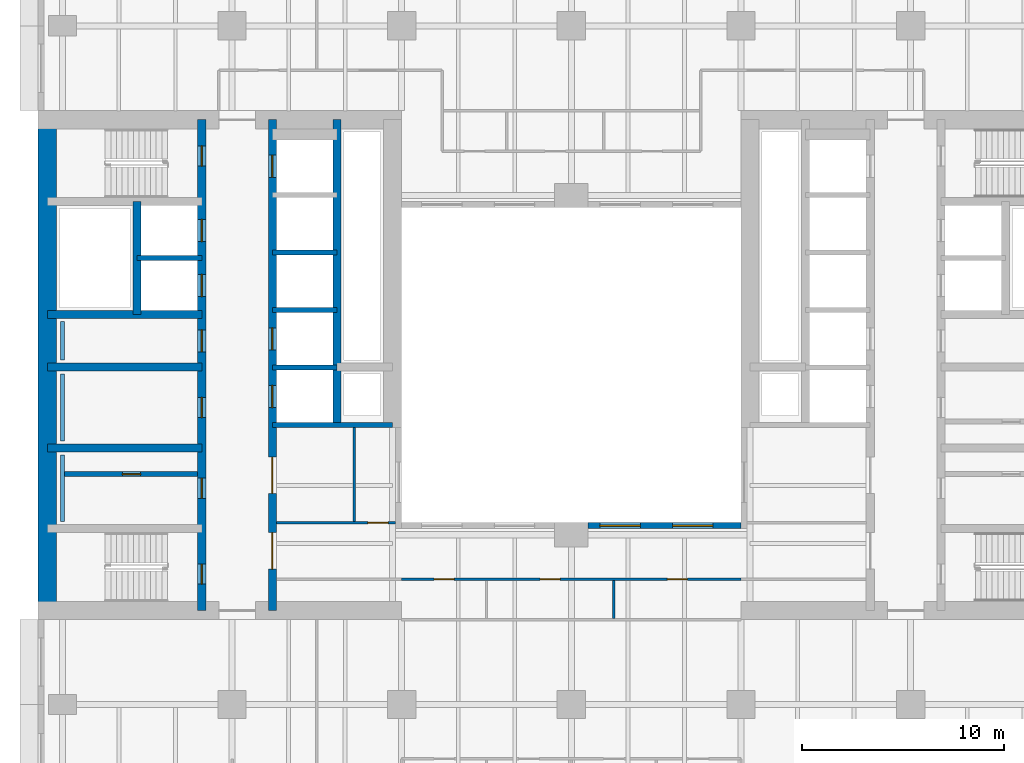
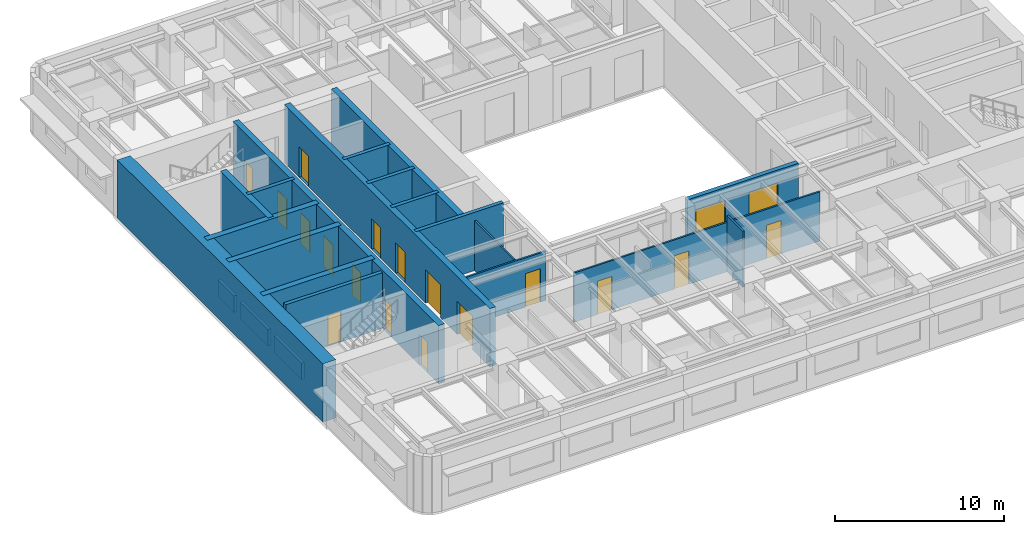
# One storey, part 4 of 11: 22 walls, 17 doors, 2 windows, 19 openings.
"""IFC4 building model written with IfcOpenShell, lengths in metres."""

from ifc_helpers import new_model, si_unit, direction, frame, frame_2d, origin, place, context, subcontext, project, spatial, rectangle, extrude, material, layer, layer_set, type_object, element, fill, save


model = new_model("IFC4")

# Units and contexts
model_context = context("Model", 3, precision=1e-05, world=origin(), true_north=direction((0.0, 1.0)))
body_context = subcontext(model_context, "Body", "Model", "MODEL_VIEW")
ifc_project = project(units=[si_unit("LENGTHUNIT", "METRE"), si_unit("AREAUNIT", "SQUARE_METRE"), si_unit("VOLUMEUNIT", "CUBIC_METRE"), si_unit("PLANEANGLEUNIT", "RADIAN"), si_unit("MASSUNIT", "GRAM", prefix="KILO")], contexts=[model_context])

# Site, building, storey
site_placement = place(None, origin())
site = spatial("IfcSite", under=ifc_project, at=site_placement, CompositionType="ELEMENT")
building_placement = place(site_placement, origin())
building = spatial("IfcBuilding", under=site, at=building_placement, Name="Claustro Exchange Tower", CompositionType="ELEMENT")
storey_placement = place(building_placement, frame((0.0, 0.0, 159.60009765625)))
storey = spatial("IfcBuildingStorey", under=building, at=storey_placement, Name="L36", CompositionType="ELEMENT", Elevation=159.60009765625)

# Wall, opening, door
ifc_material_1 = material(Name="Laminated glass in aluminium frame", Category="aluminium")
ifc_layer_1 = layer(ifc_material_1, 0.1201171875)
ifc_layer_set_1 = layer_set([ifc_layer_1], Name="Laminated glass in aluminium frame")
wall_type_1 = type_object("IfcWallType", Name="P2 120 glazed partition", PredefinedType="PARTITIONING", material=ifc_layer_set_1)
wall_1_placement = place(storey_placement, frame((10.597900390625, 17.39990234375, 0.0), z_axis=(0.0, 0.0, 1.0), x_axis=(1.0, 0.0, 0.0)))
wall_1 = element("IfcWall", 1, at=wall_1_placement, inside=storey, type_object=wall_type_1, Name="Partition P2 L36", PredefinedType="PARTITIONING", context=body_context, shape_type="SweptSolid", body=[
    extrude(rectangle(XDim=5.904052734375, YDim=0.1201171875, at=frame_2d((2.9521484375, 0.0))), origin(), (0.0, 0.0, 1.0), 3.5498046875),
])
opening_1_placement = place(wall_1_placement, frame((4.52392578125, 0.0, 0.0)))
opening_1 = element("IfcOpeningElement", 2, at=opening_1_placement, cuts=wall_1, Name="Opening D7", PredefinedType="OPENING", context=body_context, shape_type="SweptSolid", body=[
    extrude(rectangle(XDim=1.0, YDim=2.39990234375, at=frame_2d((0.5, 1.199951171875))), frame((0.0, 0.070068359375, 0.0), z_axis=(0.0, -1.0, 0.0), x_axis=(1.0, 0.0, 0.0)), (0.0, 0.0, 1.0), 0.14013671875),
])
ifc_material_2 = material(Name="Glass door in aluminium frame", Category="aluminium")
door_type_1 = type_object("IfcDoorType", Name="D7 1000 x 2400 glazed door", OperationType="SINGLE_SWING_LEFT", PredefinedType="DOOR", material=ifc_material_2)
door_1_placement = place(opening_1_placement, origin())
door_1 = element("IfcDoor", 3, at=door_1_placement, inside=storey, type_object=door_type_1, Name="Door D7 L36", OperationType="SINGLE_SWING_LEFT", OverallHeight=2.39990234375, OverallWidth=1.0, PredefinedType="DOOR", context=body_context, shape_type="SweptSolid", body=[
    extrude(rectangle(XDim=1.0, YDim=2.39990234375, at=frame_2d((0.5, 1.199951171875))), frame((0.0, 0.02490234375, 0.0), z_axis=(0.0, -1.0, 0.0), x_axis=(1.0, 0.0, 0.0)), (0.0, 0.0, 1.0), 0.050048828125),
])
fill(opening_1, door_1)

# Walls
wall_2_placement = place(storey_placement, frame((14.444091796875, 17.4580078125, 0.0), z_axis=(0.0, 0.0, 1.0), x_axis=(0.0, 1.0, 0.0)))
element("IfcWall", 4, at=wall_2_placement, inside=storey, type_object=wall_type_1, Name="Partition P2 L36", PredefinedType="PARTITIONING", context=body_context, shape_type="SweptSolid", body=[
    extrude(rectangle(XDim=4.64404296875, YDim=0.1201171875, at=frame_2d((2.322021484375, 0.0))), origin(), (0.0, 0.0, 1.0), 3.599853515625),
])
wall_3_placement = place(storey_placement, frame((27.300048828125, 12.657958984375, 0.0), z_axis=(0.0, 0.0, 1.0), x_axis=(0.0, 1.0, 0.0)))
element("IfcWall", 5, at=wall_3_placement, inside=storey, type_object=wall_type_1, Name="Partition P2 L36", PredefinedType="PARTITIONING", context=body_context, shape_type="SweptSolid", body=[
    extrude(rectangle(XDim=1.884033203125, YDim=0.1201171875, at=frame_2d((0.94189453125, 0.0))), origin(), (0.0, 0.0, 1.0), 4.0498046875),
])

# Wall, openings, doors
wall_4_placement = place(storey_placement, frame((16.798095703125, 14.60009765625, 0.0), z_axis=(0.0, 0.0, 1.0), x_axis=(1.0, 0.0, 0.0)))
wall_4 = element("IfcWall", 6, at=wall_4_placement, inside=storey, type_object=wall_type_1, Name="Partition P2 L36", PredefinedType="PARTITIONING", context=body_context, shape_type="SweptSolid", body=[
    extrude(rectangle(XDim=16.803955078125, YDim=0.1201171875, at=frame_2d((8.40185546875, 0.0))), origin(), (0.0, 0.0, 1.0), 3.5498046875),
])
opening_2_placement = place(wall_4_placement, frame((1.60205078125, 0.0, 0.0)))
opening_2 = element("IfcOpeningElement", 7, at=opening_2_placement, cuts=wall_4, Name="Opening D7", PredefinedType="OPENING", context=body_context, shape_type="SweptSolid", body=[
    extrude(rectangle(XDim=1.0, YDim=2.39990234375, at=frame_2d((0.5, 1.199951171875))), frame((0.0, 0.070068359375, 0.0), z_axis=(0.0, -1.0, 0.0), x_axis=(1.0, 0.0, 0.0)), (0.0, 0.0, 1.0), 0.14013671875),
])
opening_3_placement = place(wall_4_placement, frame((6.85205078125, 0.0, 0.0)))
opening_3 = element("IfcOpeningElement", 8, at=opening_3_placement, cuts=wall_4, Name="Opening D7", PredefinedType="OPENING", context=body_context, shape_type="SweptSolid", body=[
    extrude(rectangle(XDim=1.0, YDim=2.39990234375, at=frame_2d((0.5, 1.199951171875))), frame((0.0, 0.070068359375, 0.0), z_axis=(0.0, -1.0, 0.0), x_axis=(1.0, 0.0, 0.0)), (0.0, 0.0, 1.0), 0.14013671875),
])
opening_4_placement = place(wall_4_placement, frame((13.152099609375, 0.0, 0.0)))
opening_4 = element("IfcOpeningElement", 9, at=opening_4_placement, cuts=wall_4, Name="Opening D7", PredefinedType="OPENING", context=body_context, shape_type="SweptSolid", body=[
    extrude(rectangle(XDim=1.0, YDim=2.39990234375, at=frame_2d((0.5, 1.199951171875))), frame((0.0, 0.070068359375, 0.0), z_axis=(0.0, -1.0, 0.0), x_axis=(1.0, 0.0, 0.0)), (0.0, 0.0, 1.0), 0.14013671875),
])
door_2_placement = place(opening_2_placement, frame((1.0, 0.0, 0.0), z_axis=(0.0, 0.0, 1.0), x_axis=(-1.0, 0.0, 0.0)))
door_2 = element("IfcDoor", 10, at=door_2_placement, inside=storey, type_object=door_type_1, Name="Door D7 L36", OperationType="SINGLE_SWING_RIGHT", OverallHeight=2.39990234375, OverallWidth=1.0, PredefinedType="DOOR", context=body_context, shape_type="SweptSolid", body=[
    extrude(rectangle(XDim=1.0, YDim=2.39990234375, at=frame_2d((0.5, 1.199951171875))), frame((0.0, 0.02490234375, 0.0), z_axis=(0.0, -1.0, 0.0), x_axis=(1.0, 0.0, 0.0)), (0.0, 0.0, 1.0), 0.050048828125),
])
fill(opening_2, door_2)
door_3_placement = place(opening_3_placement, frame((1.0, 0.0, 0.0), z_axis=(0.0, 0.0, 1.0), x_axis=(-1.0, 0.0, 0.0)))
door_3 = element("IfcDoor", 11, at=door_3_placement, inside=storey, type_object=door_type_1, Name="Door D7 L36", OperationType="SINGLE_SWING_RIGHT", OverallHeight=2.39990234375, OverallWidth=1.0, PredefinedType="DOOR", context=body_context, shape_type="SweptSolid", body=[
    extrude(rectangle(XDim=1.0, YDim=2.39990234375, at=frame_2d((0.5, 1.199951171875))), frame((0.0, 0.02490234375, 0.0), z_axis=(0.0, -1.0, 0.0), x_axis=(1.0, 0.0, 0.0)), (0.0, 0.0, 1.0), 0.050048828125),
])
fill(opening_3, door_3)
door_4_placement = place(opening_4_placement, frame((1.0, 0.0, 0.0), z_axis=(0.0, 0.0, 1.0), x_axis=(-1.0, 0.0, 0.0)))
door_4 = element("IfcDoor", 12, at=door_4_placement, inside=storey, type_object=door_type_1, Name="Door D7 L36", OperationType="SINGLE_SWING_RIGHT", OverallHeight=2.39990234375, OverallWidth=1.0, PredefinedType="DOOR", context=body_context, shape_type="SweptSolid", body=[
    extrude(rectangle(XDim=1.0, YDim=2.39990234375, at=frame_2d((0.5, 1.199951171875))), frame((0.0, 0.02490234375, 0.0), z_axis=(0.0, -1.0, 0.0), x_axis=(1.0, 0.0, 0.0)), (0.0, 0.0, 1.0), 0.050048828125),
])
fill(opening_4, door_4)

# Wall, opening, door
ifc_material_3 = material(Name="Concrete blockwork, rendered", Category="masonry")
ifc_layer_2 = layer(ifc_material_3, 0.25)
ifc_layer_set_2 = layer_set([ifc_layer_2], Name="Concrete blockwork, rendered")
wall_type_2 = type_object("IfcWallType", Name="P4 250 blockwork wall", PredefinedType="PARTITIONING", material=ifc_layer_set_2)
wall_5_placement = place(storey_placement, frame((0.10009765625, 19.800048828125, 0.0), z_axis=(0.0, 0.0, 1.0), x_axis=(1.0, 0.0, 0.0)))
wall_5 = element("IfcWall", 13, at=wall_5_placement, inside=storey, type_object=wall_type_2, Name="Partition P4 L36", PredefinedType="PARTITIONING", context=body_context, shape_type="SweptSolid", body=[
    extrude(rectangle(XDim=6.599853515625, YDim=0.25, at=frame_2d((3.2998046875, 0.0))), origin(), (0.0, 0.0, 1.0), 4.0),
])
opening_5_placement = place(wall_5_placement, frame((2.875, 0.0, 0.0)))
opening_5 = element("IfcOpeningElement", 14, at=opening_5_placement, cuts=wall_5, Name="Opening D5", PredefinedType="OPENING", context=body_context, shape_type="SweptSolid", body=[
    extrude(rectangle(XDim=0.89990234375, YDim=2.199951171875, at=frame_2d((0.449951171875, 1.10009765625))), frame((0.0, 0.135009765625, 0.0), z_axis=(0.0, -1.0, 0.0), x_axis=(1.0, 0.0, 0.0)), (0.0, 0.0, 1.0), 0.27001953125),
])
ifc_material_4 = material(Name="Steel door, painted", Category="steel")
door_type_2 = type_object("IfcDoorType", Name="D5 900 x 2200 store door", OperationType="SINGLE_SWING_LEFT", PredefinedType="DOOR", material=ifc_material_4)
door_5_placement = place(opening_5_placement, origin())
door_5 = element("IfcDoor", 15, at=door_5_placement, inside=storey, type_object=door_type_2, Name="Store door D5 L36", OperationType="SINGLE_SWING_LEFT", OverallHeight=2.199951171875, OverallWidth=0.89990234375, PredefinedType="DOOR", context=body_context, shape_type="SweptSolid", body=[
    extrude(rectangle(XDim=0.89990234375, YDim=2.199951171875, at=frame_2d((0.449951171875, 1.10009765625))), frame((0.0, 0.02490234375, 0.0), z_axis=(0.0, -1.0, 0.0), x_axis=(1.0, 0.0, 0.0)), (0.0, 0.0, 1.0), 0.050048828125),
])
fill(opening_5, door_5)

# Wall, openings, windows
ifc_material_5 = material(Name="Concrete HA-40 (C40/50), precast, white cement, acid-etched", Category="concrete")
ifc_layer_3 = layer(ifc_material_5, 0.300048828125)
ifc_layer_set_3 = layer_set([ifc_layer_3], Name="Concrete HA-40 (C40/50), precast, white cement, acid-etched")
wall_type_3 = type_object("IfcWallType", Name="PC1 300 precast concrete pier panel", PredefinedType="SOLIDWALL", material=ifc_layer_set_3)
wall_6_placement = place(storey_placement, frame((26.02490234375, 17.25, 0.0), z_axis=(0.0, 0.0, 1.0), x_axis=(1.0, 0.0, 0.0)))
wall_6 = element("IfcWall", 16, at=wall_6_placement, inside=storey, type_object=wall_type_3, Name="Precast pier panel PC1 L36", PredefinedType="SOLIDWALL", context=body_context, shape_type="SweptSolid", body=[
    extrude(rectangle(XDim=7.5751953125, YDim=0.300048828125, at=frame_2d((3.78759765625, 0.0))), origin(), (0.0, 0.0, 1.0), 4.0498046875),
])
opening_6_placement = place(wall_6_placement, frame((0.58740234375, 0.0, 0.10009765625)))
opening_6 = element("IfcOpeningElement", 17, at=opening_6_placement, cuts=wall_6, Name="Opening W-A", PredefinedType="OPENING", context=body_context, shape_type="SweptSolid", body=[
    extrude(rectangle(XDim=2.0, YDim=3.0, at=frame_2d((1.0, 1.5))), frame((0.0, 0.159912109375, 0.0), z_axis=(0.0, -1.0, 0.0), x_axis=(1.0, 0.0, 0.0)), (0.0, 0.0, 1.0), 0.320068359375),
])
opening_7_placement = place(wall_6_placement, frame((4.1875, 0.0, 0.10009765625)))
opening_7 = element("IfcOpeningElement", 18, at=opening_7_placement, cuts=wall_6, Name="Opening W-A", PredefinedType="OPENING", context=body_context, shape_type="SweptSolid", body=[
    extrude(rectangle(XDim=2.0, YDim=3.0, at=frame_2d((1.0, 1.5))), frame((0.0, 0.159912109375, 0.0), z_axis=(0.0, -1.0, 0.0), x_axis=(1.0, 0.0, 0.0)), (0.0, 0.0, 1.0), 0.320068359375),
])
ifc_material_6 = material(Name="Aluminium frame, clear double glazing", Category="aluminium")
window_type = type_object("IfcWindowType", Name="W-A 2000 x 3000 arcade window", PartitioningType="SINGLE_PANEL", PredefinedType="WINDOW", material=ifc_material_6)
window_1_placement = place(opening_6_placement, origin())
window_1 = element("IfcWindow", 19, at=window_1_placement, inside=storey, type_object=window_type, Name="Window W-A L36", OverallHeight=3.0, OverallWidth=2.0, PartitioningType="SINGLE_PANEL", PredefinedType="WINDOW", context=body_context, shape_type="SweptSolid", body=[
    extrude(rectangle(XDim=2.0, YDim=3.0, at=frame_2d((1.0, 1.5))), frame((0.0, 0.030029296875, 0.0), z_axis=(0.0, -1.0, 0.0), x_axis=(1.0, 0.0, 0.0)), (0.0, 0.0, 1.0), 0.06005859375),
])
fill(opening_6, window_1)
window_2_placement = place(opening_7_placement, origin())
window_2 = element("IfcWindow", 20, at=window_2_placement, inside=storey, type_object=window_type, Name="Window W-A L36", OverallHeight=3.0, OverallWidth=2.0, PartitioningType="SINGLE_PANEL", PredefinedType="WINDOW", context=body_context, shape_type="SweptSolid", body=[
    extrude(rectangle(XDim=2.0, YDim=3.0, at=frame_2d((1.0, 1.5))), frame((0.0, 0.030029296875, 0.0), z_axis=(0.0, -1.0, 0.0), x_axis=(1.0, 0.0, 0.0)), (0.0, 0.0, 1.0), 0.06005859375),
])
fill(opening_7, window_2)

# Walls
ifc_material_7 = material(Name="Gypsum board on steel studs, tiled", Category="steel")
ifc_layer_4 = layer(ifc_material_7, 0.199951171875)
ifc_layer_set_4 = layer_set([ifc_layer_4], Name="Gypsum board on steel studs, tiled")
wall_type_4 = type_object("IfcWallType", Name="PW1 200 WC duct wall", PredefinedType="PLUMBINGWALL", material=ifc_layer_set_4)
for number, where, z_axis, x_axis, name in (
    (21, (0.0, 17.449951171875, 0.0), (0.0, 0.0, 1.0), (0.0, 1.0, 0.0), "WC duct wall PW1 L36"),
    (22, (0.0, 21.449951171875, 0.0), (0.0, 0.0, 1.0), (0.0, 1.0, 0.0), "WC duct wall PW1 L36"),
):
    element("IfcWall", number, at=place(storey_placement, frame(where, z_axis=z_axis, x_axis=x_axis)), inside=storey, type_object=wall_type_4, Name=name, PredefinedType="PLUMBINGWALL", context=body_context, shape_type="SweptSolid", body=[
        extrude(rectangle(XDim=3.300048828125, YDim=0.199951171875, at=frame_2d((1.64990234375, 0.0))), origin(), (0.0, 0.0, 1.0), 1.199951171875),
    ])
wall_7_placement = place(storey_placement, frame((0.0, 25.449951171875, 0.0), z_axis=(0.0, 0.0, 1.0), x_axis=(0.0, 1.0, 0.0)))
element("IfcWall", 23, at=wall_7_placement, inside=storey, type_object=wall_type_4, Name="WC duct wall PW1 L36", PredefinedType="PLUMBINGWALL", context=body_context, shape_type="SweptSolid", body=[
    extrude(rectangle(XDim=1.900146484375, YDim=0.199951171875, at=frame_2d((0.9501953125, 0.0))), origin(), (0.0, 0.0, 1.0), 1.199951171875),
])
ifc_material_8 = material(Name="Concrete HA-70 (C70/85)", Category="concrete")
ifc_layer_5 = layer(ifc_material_8, 0.89990234375)
ifc_layer_set_5 = layer_set([ifc_layer_5], Name="Concrete HA-70 (C70/85)")
wall_type_5 = type_object("IfcWallType", Name="SW1X 900 exposed core shear wall, board-marked face", PredefinedType="SHEAR", material=ifc_layer_set_5)
wall_8_placement = place(storey_placement, frame((-0.75, 13.050048828125, 0.0), z_axis=(0.0, 0.0, 1.0), x_axis=(0.0, 1.0, 0.0)))
element("IfcWall", 24, at=wall_8_placement, inside=storey, type_object=wall_type_5, Name="Core wall SW1X W core W face L36", PredefinedType="SHEAR", context=body_context, shape_type="SweptSolid", body=[
    extrude(rectangle(XDim=24.300048828125, YDim=0.89990234375, at=frame_2d((12.14990234375, 0.0))), origin(), (0.0, 0.0, 1.0), 4.199951171875),
])

# Wall, openings, doors
ifc_material_9 = material(Name="Concrete HA-50 (C50/60)", Category="concrete")
ifc_layer_6 = layer(ifc_material_9, 0.39990234375)
ifc_layer_set_6 = layer_set([ifc_layer_6], Name="Concrete HA-50 (C50/60)")
wall_type_6 = type_object("IfcWallType", Name="SW4 400 internal core wall", PredefinedType="SHEAR", material=ifc_layer_set_6)
wall_9_placement = place(storey_placement, frame((6.89990234375, 13.050048828125, 0.0), z_axis=(0.0, 0.0, 1.0), x_axis=(0.0, 1.0, 0.0)))
wall_9 = element("IfcWall", 25, at=wall_9_placement, inside=storey, type_object=wall_type_6, Name="Internal core wall SW4 W core L36", PredefinedType="SHEAR", context=body_context, shape_type="SweptSolid", body=[
    extrude(rectangle(XDim=24.300048828125, YDim=0.39990234375, at=frame_2d((12.14990234375, 0.0))), origin(), (0.0, 0.0, 1.0), 4.199951171875),
])
opening_8_placement = place(wall_9_placement, frame((1.300048828125, 0.0, 0.0)))
opening_8 = element("IfcOpeningElement", 26, at=opening_8_placement, cuts=wall_9, Name="Opening D4", PredefinedType="OPENING", context=body_context, shape_type="SweptSolid", body=[
    extrude(rectangle(XDim=1.0, YDim=2.199951171875, at=frame_2d((0.5, 1.10009765625))), frame((0.0, 0.2099609375, 0.0), z_axis=(0.0, -1.0, 0.0), x_axis=(1.0, 0.0, 0.0)), (0.0, 0.0, 1.0), 0.419921875),
])
opening_9_placement = place(wall_9_placement, frame((22.0, 0.0, 0.0)))
opening_9 = element("IfcOpeningElement", 27, at=opening_9_placement, cuts=wall_9, Name="Opening D4", PredefinedType="OPENING", context=body_context, shape_type="SweptSolid", body=[
    extrude(rectangle(XDim=1.0, YDim=2.199951171875, at=frame_2d((0.5, 1.10009765625))), frame((0.0, 0.2099609375, 0.0), z_axis=(0.0, -1.0, 0.0), x_axis=(1.0, 0.0, 0.0)), (0.0, 0.0, 1.0), 0.419921875),
])
opening_10_placement = place(wall_9_placement, frame((5.550048828125, 0.0, 0.0)))
opening_10 = element("IfcOpeningElement", 28, at=opening_10_placement, cuts=wall_9, Name="Opening D1", PredefinedType="OPENING", context=body_context, shape_type="SweptSolid", body=[
    extrude(rectangle(XDim=1.0, YDim=2.199951171875, at=frame_2d((0.5, 1.10009765625))), frame((0.0, 0.2099609375, 0.0), z_axis=(0.0, -1.0, 0.0), x_axis=(1.0, 0.0, 0.0)), (0.0, 0.0, 1.0), 0.419921875),
])
opening_11_placement = place(wall_9_placement, frame((9.550048828125, 0.0, 0.0)))
opening_11 = element("IfcOpeningElement", 29, at=opening_11_placement, cuts=wall_9, Name="Opening D1", PredefinedType="OPENING", context=body_context, shape_type="SweptSolid", body=[
    extrude(rectangle(XDim=1.0, YDim=2.199951171875, at=frame_2d((0.5, 1.10009765625))), frame((0.0, 0.2099609375, 0.0), z_axis=(0.0, -1.0, 0.0), x_axis=(1.0, 0.0, 0.0)), (0.0, 0.0, 1.0), 0.419921875),
])
opening_12_placement = place(wall_9_placement, frame((12.800048828125, 0.0, 0.0)))
opening_12 = element("IfcOpeningElement", 30, at=opening_12_placement, cuts=wall_9, Name="Opening D10", PredefinedType="OPENING", context=body_context, shape_type="SweptSolid", body=[
    extrude(rectangle(XDim=1.10009765625, YDim=2.199951171875, at=frame_2d((0.550048828125, 1.10009765625))), frame((0.0, 0.2099609375, 0.0), z_axis=(0.0, -1.0, 0.0), x_axis=(1.0, 0.0, 0.0)), (0.0, 0.0, 1.0), 0.419921875),
])
opening_13_placement = place(wall_9_placement, frame((15.53759765625, 0.0, 0.0)))
opening_13 = element("IfcOpeningElement", 31, at=opening_13_placement, cuts=wall_9, Name="Opening LD", PredefinedType="OPENING", context=body_context, shape_type="SweptSolid", body=[
    extrude(rectangle(XDim=1.10009765625, YDim=2.199951171875, at=frame_2d((0.550048828125, 1.10009765625))), frame((0.0, 0.2099609375, 0.0), z_axis=(0.0, -1.0, 0.0), x_axis=(1.0, 0.0, 0.0)), (0.0, 0.0, 1.0), 0.419921875),
])
opening_14_placement = place(wall_9_placement, frame((18.262451171875, 0.0, 0.0)))
opening_14 = element("IfcOpeningElement", 32, at=opening_14_placement, cuts=wall_9, Name="Opening LD", PredefinedType="OPENING", context=body_context, shape_type="SweptSolid", body=[
    extrude(rectangle(XDim=1.10009765625, YDim=2.199951171875, at=frame_2d((0.550048828125, 1.10009765625))), frame((0.0, 0.2099609375, 0.0), z_axis=(0.0, -1.0, 0.0), x_axis=(1.0, 0.0, 0.0)), (0.0, 0.0, 1.0), 0.419921875),
])
ifc_material_10 = material(Name="Timber door, oak veneer", Category="wood")
door_type_3 = type_object("IfcDoorType", Name="D1 1000 x 2200 single door", OperationType="SINGLE_SWING_LEFT", PredefinedType="DOOR", material=ifc_material_10)
door_6_placement = place(opening_10_placement, origin())
door_6 = element("IfcDoor", 33, at=door_6_placement, inside=storey, type_object=door_type_3, Name="Door D1 L36", OperationType="SINGLE_SWING_RIGHT", OverallHeight=2.199951171875, OverallWidth=1.0, PredefinedType="DOOR", context=body_context, shape_type="SweptSolid", body=[
    extrude(rectangle(XDim=1.0, YDim=2.199951171875, at=frame_2d((0.5, 1.10009765625))), frame((0.0, 0.02490234375, 0.0), z_axis=(0.0, -1.0, 0.0), x_axis=(1.0, 0.0, 0.0)), (0.0, 0.0, 1.0), 0.050048828125),
])
fill(opening_10, door_6)
door_7_placement = place(opening_11_placement, origin())
door_7 = element("IfcDoor", 34, at=door_7_placement, inside=storey, type_object=door_type_3, Name="Door D1 L36", OperationType="SINGLE_SWING_RIGHT", OverallHeight=2.199951171875, OverallWidth=1.0, PredefinedType="DOOR", context=body_context, shape_type="SweptSolid", body=[
    extrude(rectangle(XDim=1.0, YDim=2.199951171875, at=frame_2d((0.5, 1.10009765625))), frame((0.0, 0.02490234375, 0.0), z_axis=(0.0, -1.0, 0.0), x_axis=(1.0, 0.0, 0.0)), (0.0, 0.0, 1.0), 0.050048828125),
])
fill(opening_11, door_7)
ifc_material_11 = material(Name="Timber door, oak veneer", Category="wood")
door_type_4 = type_object("IfcDoorType", Name="D10 1100 x 2200 accessible WC door", OperationType="SINGLE_SWING_LEFT", PredefinedType="DOOR", material=ifc_material_11)
door_8_placement = place(opening_12_placement, frame((1.10009765625, 0.0, 0.0), z_axis=(0.0, 0.0, 1.0), x_axis=(-1.0, 0.0, 0.0)))
door_8 = element("IfcDoor", 35, at=door_8_placement, inside=storey, type_object=door_type_4, Name="Accessible WC door D10 L36", OperationType="SINGLE_SWING_LEFT", OverallHeight=2.199951171875, OverallWidth=1.10009765625, PredefinedType="DOOR", context=body_context, shape_type="SweptSolid", body=[
    extrude(rectangle(XDim=1.10009765625, YDim=2.199951171875, at=frame_2d((0.550048828125, 1.10009765625))), frame((0.0, 0.02490234375, 0.0), z_axis=(0.0, -1.0, 0.0), x_axis=(1.0, 0.0, 0.0)), (0.0, 0.0, 1.0), 0.050048828125),
])
fill(opening_12, door_8)
ifc_material_12 = material(Name="Steel fire door, painted", Category="steel")
door_type_5 = type_object("IfcDoorType", Name="D4 1000 x 2200 fire-rated stair door", OperationType="SINGLE_SWING_LEFT", PredefinedType="DOOR", material=ifc_material_12)
door_9_placement = place(opening_8_placement, origin())
door_9 = element("IfcDoor", 36, at=door_9_placement, inside=storey, type_object=door_type_5, Name="Stair door D4 L36", OperationType="SINGLE_SWING_LEFT", OverallHeight=2.199951171875, OverallWidth=1.0, PredefinedType="DOOR", context=body_context, shape_type="SweptSolid", body=[
    extrude(rectangle(XDim=1.0, YDim=2.199951171875, at=frame_2d((0.5, 1.10009765625))), frame((0.0, 0.02490234375, 0.0), z_axis=(0.0, -1.0, 0.0), x_axis=(1.0, 0.0, 0.0)), (0.0, 0.0, 1.0), 0.050048828125),
])
fill(opening_8, door_9)
door_10_placement = place(opening_9_placement, origin())
door_10 = element("IfcDoor", 37, at=door_10_placement, inside=storey, type_object=door_type_5, Name="Stair door D4 L36", OperationType="SINGLE_SWING_RIGHT", OverallHeight=2.199951171875, OverallWidth=1.0, PredefinedType="DOOR", context=body_context, shape_type="SweptSolid", body=[
    extrude(rectangle(XDim=1.0, YDim=2.199951171875, at=frame_2d((0.5, 1.10009765625))), frame((0.0, 0.02490234375, 0.0), z_axis=(0.0, -1.0, 0.0), x_axis=(1.0, 0.0, 0.0)), (0.0, 0.0, 1.0), 0.050048828125),
])
fill(opening_9, door_10)
ifc_material_13 = material(Name="Stainless steel sliding door", Category="steel")
door_type_6 = type_object("IfcDoorType", Name="LD 1100 x 2200 lift landing door", OperationType="DOUBLE_DOOR_SLIDING", PredefinedType="DOOR", material=ifc_material_13)
door_11_placement = place(opening_13_placement, origin())
door_11 = element("IfcDoor", 38, at=door_11_placement, inside=storey, type_object=door_type_6, Name="Lift landing door LEW1 LD L36", OperationType="DOUBLE_DOOR_SLIDING", OverallHeight=2.199951171875, OverallWidth=1.10009765625, PredefinedType="DOOR", context=body_context, shape_type="SweptSolid", body=[
    extrude(rectangle(XDim=1.10009765625, YDim=2.199951171875, at=frame_2d((0.550048828125, 1.10009765625))), frame((0.0, 0.02490234375, 0.0), z_axis=(0.0, -1.0, 0.0), x_axis=(1.0, 0.0, 0.0)), (0.0, 0.0, 1.0), 0.050048828125),
])
fill(opening_13, door_11)
door_12_placement = place(opening_14_placement, origin())
door_12 = element("IfcDoor", 39, at=door_12_placement, inside=storey, type_object=door_type_6, Name="Lift landing door LEW2 LD L36", OperationType="DOUBLE_DOOR_SLIDING", OverallHeight=2.199951171875, OverallWidth=1.10009765625, PredefinedType="DOOR", context=body_context, shape_type="SweptSolid", body=[
    extrude(rectangle(XDim=1.10009765625, YDim=2.199951171875, at=frame_2d((0.550048828125, 1.10009765625))), frame((0.0, 0.02490234375, 0.0), z_axis=(0.0, -1.0, 0.0), x_axis=(1.0, 0.0, 0.0)), (0.0, 0.0, 1.0), 0.050048828125),
])
fill(opening_14, door_12)

wall_10_placement = place(storey_placement, frame((10.39990234375, 13.050048828125, 0.0), z_axis=(0.0, 0.0, 1.0), x_axis=(0.0, 1.0, 0.0)))
wall_10 = element("IfcWall", 40, at=wall_10_placement, inside=storey, type_object=wall_type_6, Name="Internal core wall SW4 W core L36", PredefinedType="SHEAR", context=body_context, shape_type="SweptSolid", body=[
    extrude(rectangle(XDim=24.300048828125, YDim=0.39990234375, at=frame_2d((12.14990234375, 0.0))), origin(), (0.0, 0.0, 1.0), 4.199951171875),
])
opening_15_placement = place(wall_10_placement, frame((10.050048828125, 0.0, 0.0)))
opening_15 = element("IfcOpeningElement", 41, at=opening_15_placement, cuts=wall_10, Name="Opening LD", PredefinedType="OPENING", context=body_context, shape_type="SweptSolid", body=[
    extrude(rectangle(XDim=1.10009765625, YDim=2.199951171875, at=frame_2d((0.550048828125, 1.10009765625))), frame((0.0, 0.2099609375, 0.0), z_axis=(0.0, -1.0, 0.0), x_axis=(1.0, 0.0, 0.0)), (0.0, 0.0, 1.0), 0.419921875),
])
opening_16_placement = place(wall_10_placement, frame((12.89990234375, 0.0, 0.0)))
opening_16 = element("IfcOpeningElement", 42, at=opening_16_placement, cuts=wall_10, Name="Opening LD", PredefinedType="OPENING", context=body_context, shape_type="SweptSolid", body=[
    extrude(rectangle(XDim=1.10009765625, YDim=2.199951171875, at=frame_2d((0.550048828125, 1.10009765625))), frame((0.0, 0.2099609375, 0.0), z_axis=(0.0, -1.0, 0.0), x_axis=(1.0, 0.0, 0.0)), (0.0, 0.0, 1.0), 0.419921875),
])
opening_17_placement = place(wall_10_placement, frame((21.449951171875, 0.0, 0.0)))
opening_17 = element("IfcOpeningElement", 43, at=opening_17_placement, cuts=wall_10, Name="Opening LD", PredefinedType="OPENING", context=body_context, shape_type="SweptSolid", body=[
    extrude(rectangle(XDim=1.10009765625, YDim=2.199951171875, at=frame_2d((0.550048828125, 1.10009765625))), frame((0.0, 0.2099609375, 0.0), z_axis=(0.0, -1.0, 0.0), x_axis=(1.0, 0.0, 0.0)), (0.0, 0.0, 1.0), 0.419921875),
])
opening_18_placement = place(wall_10_placement, frame((2.050048828125, 0.0, 0.0)))
opening_18 = element("IfcOpeningElement", 44, at=opening_18_placement, cuts=wall_10, Name="Opening D3", PredefinedType="OPENING", context=body_context, shape_type="SweptSolid", body=[
    extrude(rectangle(XDim=1.800048828125, YDim=2.39990234375, at=frame_2d((0.89990234375, 1.199951171875))), frame((0.0, 0.2099609375, 0.0), z_axis=(0.0, -1.0, 0.0), x_axis=(1.0, 0.0, 0.0)), (0.0, 0.0, 1.0), 0.419921875),
])
opening_19_placement = place(wall_10_placement, frame((5.800048828125, 0.0, 0.0)))
opening_19 = element("IfcOpeningElement", 45, at=opening_19_placement, cuts=wall_10, Name="Opening D3", PredefinedType="OPENING", context=body_context, shape_type="SweptSolid", body=[
    extrude(rectangle(XDim=1.800048828125, YDim=2.39990234375, at=frame_2d((0.89990234375, 1.199951171875))), frame((0.0, 0.2099609375, 0.0), z_axis=(0.0, -1.0, 0.0), x_axis=(1.0, 0.0, 0.0)), (0.0, 0.0, 1.0), 0.419921875),
])
ifc_material_14 = material(Name="Steel fire door, painted", Category="steel")
door_type_7 = type_object("IfcDoorType", Name="D3 1800 x 2400 fire-rated lobby double door", OperationType="DOUBLE_DOOR_SINGLE_SWING", PredefinedType="DOOR", material=ifc_material_14)
door_13_placement = place(opening_18_placement, origin())
door_13 = element("IfcDoor", 46, at=door_13_placement, inside=storey, type_object=door_type_7, Name="Core zone door D3 L36", OperationType="DOUBLE_DOOR_SINGLE_SWING", OverallHeight=2.39990234375, OverallWidth=1.800048828125, PredefinedType="DOOR", context=body_context, shape_type="SweptSolid", body=[
    extrude(rectangle(XDim=1.800048828125, YDim=2.39990234375, at=frame_2d((0.89990234375, 1.199951171875))), frame((0.0, 0.02490234375, 0.0), z_axis=(0.0, -1.0, 0.0), x_axis=(1.0, 0.0, 0.0)), (0.0, 0.0, 1.0), 0.050048828125),
])
fill(opening_18, door_13)
door_14_placement = place(opening_19_placement, frame((1.800048828125, 0.0, 0.0), z_axis=(0.0, 0.0, 1.0), x_axis=(-1.0, 0.0, 0.0)))
door_14 = element("IfcDoor", 47, at=door_14_placement, inside=storey, type_object=door_type_7, Name="Core zone door D3 L36", OperationType="DOUBLE_DOOR_SINGLE_SWING", OverallHeight=2.39990234375, OverallWidth=1.800048828125, PredefinedType="DOOR", context=body_context, shape_type="SweptSolid", body=[
    extrude(rectangle(XDim=1.800048828125, YDim=2.39990234375, at=frame_2d((0.89990234375, 1.199951171875))), frame((0.0, 0.02490234375, 0.0), z_axis=(0.0, -1.0, 0.0), x_axis=(1.0, 0.0, 0.0)), (0.0, 0.0, 1.0), 0.050048828125),
])
fill(opening_19, door_14)
door_15_placement = place(opening_15_placement, origin())
door_15 = element("IfcDoor", 48, at=door_15_placement, inside=storey, type_object=door_type_6, Name="Lift landing door LMW1 LD L36", OperationType="DOUBLE_DOOR_SLIDING", OverallHeight=2.199951171875, OverallWidth=1.10009765625, PredefinedType="DOOR", context=body_context, shape_type="SweptSolid", body=[
    extrude(rectangle(XDim=1.10009765625, YDim=2.199951171875, at=frame_2d((0.550048828125, 1.10009765625))), frame((0.0, 0.02490234375, 0.0), z_axis=(0.0, -1.0, 0.0), x_axis=(1.0, 0.0, 0.0)), (0.0, 0.0, 1.0), 0.050048828125),
])
fill(opening_15, door_15)
door_16_placement = place(opening_16_placement, origin())
door_16 = element("IfcDoor", 49, at=door_16_placement, inside=storey, type_object=door_type_6, Name="Lift landing door LMW2 LD L36", OperationType="DOUBLE_DOOR_SLIDING", OverallHeight=2.199951171875, OverallWidth=1.10009765625, PredefinedType="DOOR", context=body_context, shape_type="SweptSolid", body=[
    extrude(rectangle(XDim=1.10009765625, YDim=2.199951171875, at=frame_2d((0.550048828125, 1.10009765625))), frame((0.0, 0.02490234375, 0.0), z_axis=(0.0, -1.0, 0.0), x_axis=(1.0, 0.0, 0.0)), (0.0, 0.0, 1.0), 0.050048828125),
])
fill(opening_16, door_16)
door_17_placement = place(opening_17_placement, origin())
door_17 = element("IfcDoor", 50, at=door_17_placement, inside=storey, type_object=door_type_6, Name="Lift landing door LSW1 LD L36", OperationType="DOUBLE_DOOR_SLIDING", OverallHeight=2.199951171875, OverallWidth=1.10009765625, PredefinedType="DOOR", context=body_context, shape_type="SweptSolid", body=[
    extrude(rectangle(XDim=1.10009765625, YDim=2.199951171875, at=frame_2d((0.550048828125, 1.10009765625))), frame((0.0, 0.02490234375, 0.0), z_axis=(0.0, -1.0, 0.0), x_axis=(1.0, 0.0, 0.0)), (0.0, 0.0, 1.0), 0.050048828125),
])
fill(opening_17, door_17)

# Walls
wall_11_placement = place(storey_placement, frame((13.60009765625, 22.22509765625, 0.0), z_axis=(0.0, 0.0, 1.0), x_axis=(0.0, 1.0, 0.0)))
element("IfcWall", 51, at=wall_11_placement, inside=storey, type_object=wall_type_6, Name="Internal core wall SW4 W core L36", PredefinedType="SHEAR", context=body_context, shape_type="SweptSolid", body=[
    extrude(rectangle(XDim=15.125, YDim=0.39990234375, at=frame_2d((7.5625, 0.0))), origin(), (0.0, 0.0, 1.0), 4.199951171875),
])
for number, where, z_axis, x_axis, name in (
    (52, (-0.75, 21.10009765625, 0.0), (0.0, 0.0, 1.0), (1.0, 0.0, 0.0), "Internal core wall SW4 W core L36"),
    (53, (-0.75, 25.10009765625, 0.0), (0.0, 0.0, 1.0), (1.0, 0.0, 0.0), "Internal core wall SW4 W core L36"),
    (54, (-0.75, 27.699951171875, 0.0), (0.0, 0.0, 1.0), (1.0, 0.0, 0.0), "Internal core wall SW4 W core L36"),
):
    element("IfcWall", number, at=place(storey_placement, frame(where, z_axis=z_axis, x_axis=x_axis)), inside=storey, type_object=wall_type_6, Name=name, PredefinedType="SHEAR", context=body_context, shape_type="SweptSolid", body=[
        extrude(rectangle(XDim=7.64990234375, YDim=0.39990234375, at=frame_2d((3.824951171875, 0.0))), origin(), (0.0, 0.0, 1.0), 4.199951171875),
    ])
wall_12_placement = place(storey_placement, frame((3.699951171875, 27.699951171875, 0.0), z_axis=(0.0, 0.0, 1.0), x_axis=(0.0, 1.0, 0.0)))
element("IfcWall", 55, at=wall_12_placement, inside=storey, type_object=wall_type_6, Name="Internal core wall SW4 W core L36", PredefinedType="SHEAR", context=body_context, shape_type="SweptSolid", body=[
    extrude(rectangle(XDim=5.60009765625, YDim=0.39990234375, at=frame_2d((2.800048828125, 0.0))), origin(), (0.0, 0.0, 1.0), 4.199951171875),
])
ifc_material_15 = material(Name="Concrete HA-50 (C50/60)", Category="concrete")
ifc_layer_7 = layer(ifc_material_15, 0.25)
ifc_layer_set_7 = layer_set([ifc_layer_7], Name="Concrete HA-50 (C50/60)")
wall_type_7 = type_object("IfcWallType", Name="SW5 250 lift shaft divider wall", PredefinedType="SHEAR", material=ifc_layer_set_7)
wall_13_placement = place(storey_placement, frame((3.699951171875, 30.5, 0.0), z_axis=(0.0, 0.0, 1.0), x_axis=(1.0, 0.0, 0.0)))
element("IfcWall", 56, at=wall_13_placement, inside=storey, type_object=wall_type_7, Name="Lift shaft wall W core L36", PredefinedType="SHEAR", context=body_context, shape_type="SweptSolid", body=[
    extrude(rectangle(XDim=3.199951171875, YDim=0.25, at=frame_2d((1.60009765625, 0.0))), origin(), (0.0, 0.0, 1.0), 4.199951171875),
])
wall_14_placement = place(storey_placement, frame((10.39990234375, 22.22509765625, 0.0), z_axis=(0.0, 0.0, 1.0), x_axis=(1.0, 0.0, 0.0)))
element("IfcWall", 57, at=wall_14_placement, inside=storey, type_object=wall_type_7, Name="Core step wall W core L36", PredefinedType="SHEAR", context=body_context, shape_type="SweptSolid", body=[
    extrude(rectangle(XDim=5.9501953125, YDim=0.25, at=frame_2d((2.97509765625, 0.0))), origin(), (0.0, 0.0, 1.0), 4.199951171875),
])
for number, where, z_axis, x_axis, name in (
    (58, (10.39990234375, 25.074951171875, 0.0), (0.0, 0.0, 1.0), (1.0, 0.0, 0.0), "Lift shaft wall W core L36"),
    (59, (10.39990234375, 27.925048828125, 0.0), (0.0, 0.0, 1.0), (1.0, 0.0, 0.0), "Lift shaft wall W core L36"),
    (60, (10.39990234375, 30.77490234375, 0.0), (0.0, 0.0, 1.0), (1.0, 0.0, 0.0), "Lift shaft wall W core L36"),
):
    element("IfcWall", number, at=place(storey_placement, frame(where, z_axis=z_axis, x_axis=x_axis)), inside=storey, type_object=wall_type_7, Name=name, PredefinedType="SHEAR", context=body_context, shape_type="SweptSolid", body=[
        extrude(rectangle(XDim=3.2001953125, YDim=0.25, at=frame_2d((1.60009765625, 0.0))), origin(), (0.0, 0.0, 1.0), 4.199951171875),
    ])

save(model, "model.ifc")
